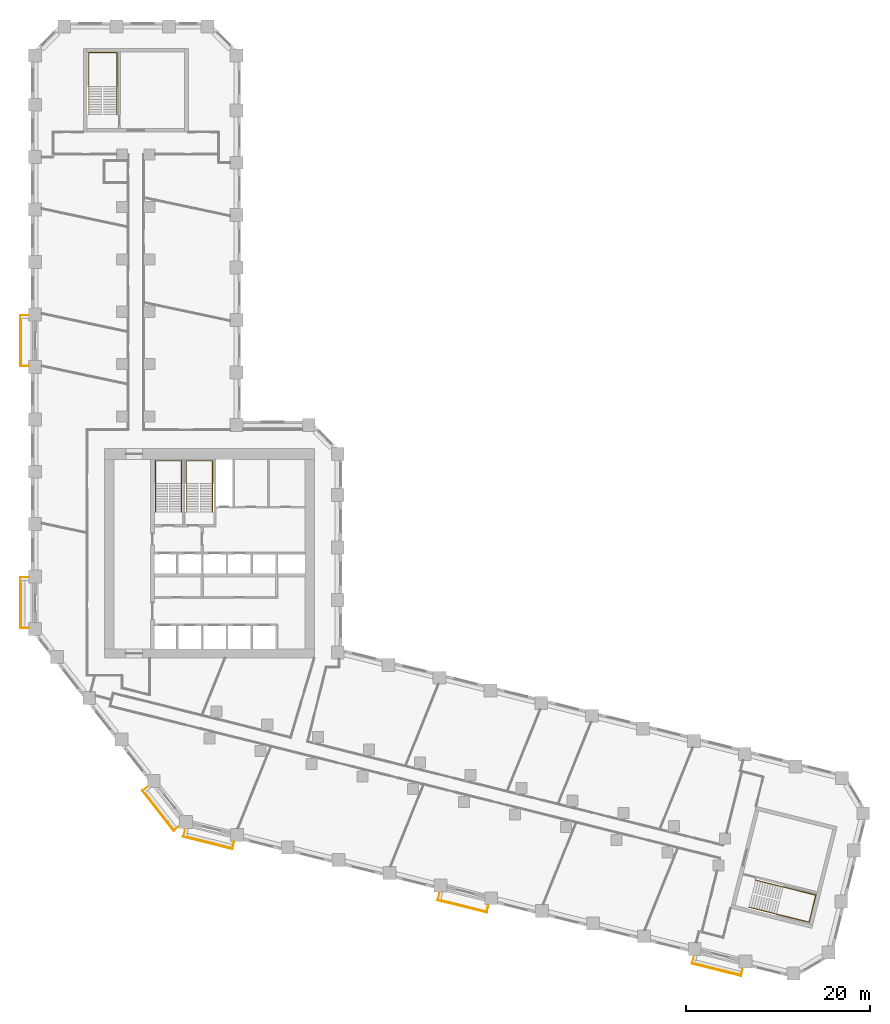
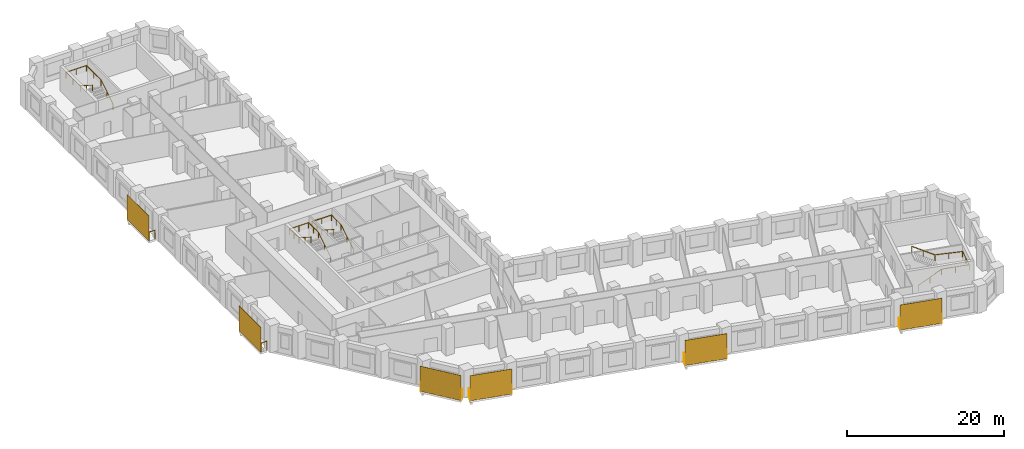
# One storey, part 11 of 11: 10 railings, 6 shading devices.
"""IFC4 building model written with IfcOpenShell, lengths in metres."""

from ifc_helpers import new_model, si_unit, direction, frame, origin, origin_2d, place, context, subcontext, project, spatial, rectangle, circle, extrude, material, layer, layer_set, type_object, element, save


model = new_model("IFC4")

# Units and contexts
model_context = context("Model", 3, precision=1e-05, world=origin(), true_north=direction((0.0, 1.0)))
body_context = subcontext(model_context, "Body", "Model", "MODEL_VIEW")
ifc_project = project(units=[si_unit("LENGTHUNIT", "METRE"), si_unit("AREAUNIT", "SQUARE_METRE"), si_unit("VOLUMEUNIT", "CUBIC_METRE"), si_unit("PLANEANGLEUNIT", "RADIAN"), si_unit("MASSUNIT", "GRAM", prefix="KILO")], contexts=[model_context])

# Site, building, storey
site_placement = place(None, origin())
site = spatial("IfcSite", under=ifc_project, at=site_placement, CompositionType="ELEMENT")
building_placement = place(site_placement, origin())
building = spatial("IfcBuilding", under=site, at=building_placement, Name="Meshkara Civic Tower", CompositionType="ELEMENT")
storey_placement = place(building_placement, frame((0.0, 0.0, 37.199951171875)))
storey = spatial("IfcBuildingStorey", under=building, at=storey_placement, Name="L07", CompositionType="ELEMENT", Elevation=37.199951171875)

# Railings
ifc_material_1 = material(Name="Steel S355", Category="steel")
railing_type_1 = type_object("IfcRailingType", Name="BALUSTRADE GUARD 1400", PredefinedType="BALUSTRADE", material=ifc_material_1)
for number, where, name in (
    (1, (-0.25, 51.3349609375, 0.0), "Balcony guard"),
    (2, (-0.25, 22.8349609375, 0.0), "Balcony guard"),
):
    element("IfcRailing", number, at=place(storey_placement, frame(where)), inside=storey, type_object=railing_type_1, Name=name, PredefinedType="BALUSTRADE", context=body_context, shape_type="SweptSolid", body=[
        extrude(circle(Radius=0.02392578125, at=origin_2d()), frame((0.0, 0.0, 1.3759765625), z_axis=(-1.0, 0.0, 0.0), x_axis=(0.0, -1.0, 0.0)), (0.0, 0.0, 1.0), 0.860107421875),
        extrude(circle(Radius=0.02392578125, at=origin_2d()), frame((-0.860107421875, 0.0, 1.3759765625), z_axis=(0.0, -1.0, 0.0), x_axis=(1.0, 0.0, 0.0)), (0.0, 0.0, 1.0), 5.4599609375),
        extrude(circle(Radius=0.02392578125, at=origin_2d()), frame((-0.860107421875, -5.4599609375, 1.3759765625), z_axis=(1.0, 0.0, 0.0), x_axis=(0.0, 1.0, 0.0)), (0.0, 0.0, 1.0), 0.860107421875),
        extrude(circle(Radius=0.02099609375, at=origin_2d()), origin(), (0.0, 0.0, 1.0), 1.351806640625),
        extrude(circle(Radius=0.02099609375, at=origin_2d()), frame((-0.860107421875, 0.0, 0.0)), (0.0, 0.0, 1.0), 1.351806640625),
        extrude(circle(Radius=0.02099609375, at=origin_2d()), frame((-0.860107421875, -1.092041015625, 0.0)), (0.0, 0.0, 1.0), 1.351806640625),
        extrude(circle(Radius=0.02099609375, at=origin_2d()), frame((-0.860107421875, -2.18408203125, 0.0)), (0.0, 0.0, 1.0), 1.351806640625),
        extrude(circle(Radius=0.02099609375, at=origin_2d()), frame((-0.860107421875, -3.27587890625, 0.0)), (0.0, 0.0, 1.0), 1.351806640625),
        extrude(circle(Radius=0.02099609375, at=origin_2d()), frame((-0.860107421875, -4.367919921875, 0.0)), (0.0, 0.0, 1.0), 1.351806640625),
        extrude(circle(Radius=0.02099609375, at=origin_2d()), frame((-0.860107421875, -5.4599609375, 0.0)), (0.0, 0.0, 1.0), 1.351806640625),
        extrude(circle(Radius=0.02099609375, at=origin_2d()), frame((0.0, -5.4599609375, 0.0)), (0.0, 0.0, 1.0), 1.351806640625),
    ])
railing_1_placement = place(storey_placement, frame((12.64111328125, 0.053955078125, 0.0)))
element("IfcRailing", 3, at=railing_1_placement, inside=storey, type_object=railing_type_1, Name="Balcony guard", PredefinedType="BALUSTRADE", context=body_context, shape_type="SweptSolid", body=[
    extrude(circle(Radius=0.02392578125, at=origin_2d()), frame((0.0, 0.0, 1.3759765625), z_axis=(-0.788485894605, -0.615052838388, 0.0), x_axis=(0.615052838388, -0.788485894605, 0.0)), (0.0, 0.0, 1.0), 0.5771484375),
    extrude(circle(Radius=0.02392578125, at=origin_2d()), frame((-0.455078125, -0.35498046875, 1.3759765625), z_axis=(0.615684818606, -0.787992515281, 0.0), x_axis=(0.787992515281, 0.615684818606, 0.0)), (0.0, 0.0, 1.0), 5.460693359375),
    extrude(circle(Radius=0.02392578125, at=origin_2d()), frame((2.906982421875, -4.657958984375, 1.3759765625), z_axis=(0.787505001008, 0.616308261658, 0.0), x_axis=(-0.616308261658, 0.787505001008, 0.0)), (0.0, 0.0, 1.0), 0.57763671875),
    extrude(circle(Radius=0.02099609375, at=origin_2d()), origin(), (0.0, 0.0, 1.0), 1.351806640625),
    extrude(circle(Radius=0.02099609375, at=origin_2d()), frame((-0.455078125, -0.35498046875, 0.0)), (0.0, 0.0, 1.0), 1.351806640625),
    extrude(circle(Radius=0.02099609375, at=origin_2d()), frame((0.21728515625, -1.215576171875, 0.0)), (0.0, 0.0, 1.0), 1.351806640625),
    extrude(circle(Radius=0.02099609375, at=origin_2d()), frame((0.8896484375, -2.076171875, 0.0)), (0.0, 0.0, 1.0), 1.351806640625),
    extrude(circle(Radius=0.02099609375, at=origin_2d()), frame((1.562255859375, -2.936767578125, 0.0)), (0.0, 0.0, 1.0), 1.351806640625),
    extrude(circle(Radius=0.02099609375, at=origin_2d()), frame((2.234619140625, -3.79736328125, 0.0)), (0.0, 0.0, 1.0), 1.351806640625),
    extrude(circle(Radius=0.02099609375, at=origin_2d()), frame((2.906982421875, -4.657958984375, 0.0)), (0.0, 0.0, 1.0), 1.351806640625),
    extrude(circle(Radius=0.02099609375, at=origin_2d()), frame((3.36181640625, -4.302001953125, 0.0)), (0.0, 0.0, 1.0), 1.351806640625),
])
railing_2_placement = place(storey_placement, frame((16.761962890625, -4.590087890625, 0.0)))
element("IfcRailing", 4, at=railing_2_placement, inside=storey, type_object=railing_type_1, Name="Balcony guard", PredefinedType="BALUSTRADE", context=body_context, shape_type="SweptSolid", body=[
    extrude(circle(Radius=0.02392578125, at=origin_2d()), frame((0.0, 0.0, 1.3759765625), z_axis=(-0.241405887632, -0.970424235794, 0.0), x_axis=(0.970424235794, -0.241405887632, 0.0)), (0.0, 0.0, 1.0), 0.7119140625),
    extrude(circle(Radius=0.02392578125, at=origin_2d()), frame((-0.171875, -0.69091796875, 1.3759765625), z_axis=(0.9703315887, -0.241778013829, 0.0), x_axis=(0.241778013829, 0.9703315887, 0.0)), (0.0, 0.0, 1.0), 5.459716796875),
    extrude(circle(Radius=0.02392578125, at=origin_2d()), frame((5.1259765625, -2.010986328125, 1.3759765625), z_axis=(0.241970279911, 0.970283661431, 0.0), x_axis=(-0.970283661431, 0.241970279911, 0.0)), (0.0, 0.0, 1.0), 0.71142578125),
    extrude(circle(Radius=0.02099609375, at=origin_2d()), origin(), (0.0, 0.0, 1.0), 1.351806640625),
    extrude(circle(Radius=0.02099609375, at=origin_2d()), frame((-0.171875, -0.69091796875, 0.0)), (0.0, 0.0, 1.0), 1.351806640625),
    extrude(circle(Radius=0.02099609375, at=origin_2d()), frame((0.8876953125, -0.954833984375, 0.0)), (0.0, 0.0, 1.0), 1.351806640625),
    extrude(circle(Radius=0.02099609375, at=origin_2d()), frame((1.947265625, -1.218994140625, 0.0)), (0.0, 0.0, 1.0), 1.351806640625),
    extrude(circle(Radius=0.02099609375, at=origin_2d()), frame((3.0068359375, -1.48291015625, 0.0)), (0.0, 0.0, 1.0), 1.351806640625),
    extrude(circle(Radius=0.02099609375, at=origin_2d()), frame((4.06640625, -1.7470703125, 0.0)), (0.0, 0.0, 1.0), 1.351806640625),
    extrude(circle(Radius=0.02099609375, at=origin_2d()), frame((5.1259765625, -2.010986328125, 0.0)), (0.0, 0.0, 1.0), 1.351806640625),
    extrude(circle(Radius=0.02099609375, at=origin_2d()), frame((5.298095703125, -1.32080078125, 0.0)), (0.0, 0.0, 1.0), 1.351806640625),
])
railing_3_placement = place(storey_placement, frame((44.416015625, -11.485107421875, 0.0)))
element("IfcRailing", 5, at=railing_3_placement, inside=storey, type_object=railing_type_1, Name="Balcony guard", PredefinedType="BALUSTRADE", context=body_context, shape_type="SweptSolid", body=[
    extrude(circle(Radius=0.02392578125, at=origin_2d()), frame((0.0, 0.0, 1.3759765625), z_axis=(-0.242050887106, -0.970263555974, 0.0), x_axis=(0.970263555974, -0.242050887106, 0.0)), (0.0, 0.0, 1.0), 0.711181640625),
    extrude(circle(Radius=0.02392578125, at=origin_2d()), frame((-0.172119140625, -0.68994140625, 1.3759765625), z_axis=(0.970281759871, -0.241977904902, 0.0), x_axis=(0.241977904902, 0.970281759871, 0.0)), (0.0, 0.0, 1.0), 5.45947265625),
    extrude(circle(Radius=0.02392578125, at=origin_2d()), frame((5.125, -2.010986328125, 1.3759765625), z_axis=(0.241647114831, 0.970364195493, 0.0), x_axis=(-0.970364195493, 0.241647114831, 0.0)), (0.0, 0.0, 1.0), 0.711181640625),
    extrude(circle(Radius=0.02099609375, at=origin_2d()), origin(), (0.0, 0.0, 1.0), 1.351806640625),
    extrude(circle(Radius=0.02099609375, at=origin_2d()), frame((-0.172119140625, -0.68994140625, 0.0)), (0.0, 0.0, 1.0), 1.351806640625),
    extrude(circle(Radius=0.02099609375, at=origin_2d()), frame((0.88720703125, -0.9541015625, 0.0)), (0.0, 0.0, 1.0), 1.351806640625),
    extrude(circle(Radius=0.02099609375, at=origin_2d()), frame((1.94677734375, -1.21826171875, 0.0)), (0.0, 0.0, 1.0), 1.351806640625),
    extrude(circle(Radius=0.02099609375, at=origin_2d()), frame((3.006103515625, -1.482666015625, 0.0)), (0.0, 0.0, 1.0), 1.351806640625),
    extrude(circle(Radius=0.02099609375, at=origin_2d()), frame((4.065673828125, -1.746826171875, 0.0)), (0.0, 0.0, 1.0), 1.351806640625),
    extrude(circle(Radius=0.02099609375, at=origin_2d()), frame((5.125, -2.010986328125, 0.0)), (0.0, 0.0, 1.0), 1.351806640625),
    extrude(circle(Radius=0.02099609375, at=origin_2d()), frame((5.296875, -1.32080078125, 0.0)), (0.0, 0.0, 1.0), 1.351806640625),
])
railing_4_placement = place(storey_placement, frame((72.069091796875, -18.37890625, 0.0)))
element("IfcRailing", 6, at=railing_4_placement, inside=storey, type_object=railing_type_1, Name="Balcony guard", PredefinedType="BALUSTRADE", context=body_context, shape_type="SweptSolid", body=[
    extrude(circle(Radius=0.02392578125, at=origin_2d()), frame((0.0, 0.0, 1.3759765625), z_axis=(-0.241648370662, -0.970363882756, 0.0), x_axis=(0.970363882756, -0.241648370662, 0.0)), (0.0, 0.0, 1.0), 0.712158203125),
    extrude(circle(Radius=0.02392578125, at=origin_2d()), frame((-0.172119140625, -0.691162109375, 1.3759765625), z_axis=(0.970292231073, -0.24193591366, 0.0), x_axis=(0.24193591366, 0.970292231073, 0.0)), (0.0, 0.0, 1.0), 5.460205078125),
    extrude(circle(Radius=0.02392578125, at=origin_2d()), frame((5.1259765625, -2.01220703125, 1.3759765625), z_axis=(0.241325582248, 0.970444209294, 0.0), x_axis=(-0.970444209294, 0.241325582248, 0.0)), (0.0, 0.0, 1.0), 0.712158203125),
    extrude(circle(Radius=0.02099609375, at=origin_2d()), origin(), (0.0, 0.0, 1.0), 1.351806640625),
    extrude(circle(Radius=0.02099609375, at=origin_2d()), frame((-0.172119140625, -0.691162109375, 0.0)), (0.0, 0.0, 1.0), 1.351806640625),
    extrude(circle(Radius=0.02099609375, at=origin_2d()), frame((0.887451171875, -0.955322265625, 0.0)), (0.0, 0.0, 1.0), 1.351806640625),
    extrude(circle(Radius=0.02099609375, at=origin_2d()), frame((1.947021484375, -1.219482421875, 0.0)), (0.0, 0.0, 1.0), 1.351806640625),
    extrude(circle(Radius=0.02099609375, at=origin_2d()), frame((3.0068359375, -1.48388671875, 0.0)), (0.0, 0.0, 1.0), 1.351806640625),
    extrude(circle(Radius=0.02099609375, at=origin_2d()), frame((4.06640625, -1.748046875, 0.0)), (0.0, 0.0, 1.0), 1.351806640625),
    extrude(circle(Radius=0.02099609375, at=origin_2d()), frame((5.1259765625, -2.01220703125, 0.0)), (0.0, 0.0, 1.0), 1.351806640625),
    extrude(circle(Radius=0.02099609375, at=origin_2d()), frame((5.2978515625, -1.321044921875, 0.0)), (0.0, 0.0, 1.0), 1.351806640625),
])

# Shading devices
ifc_material_2 = material(Name="Perforated bronze anodised aluminium sheet", Category="aluminium")
ifc_layer = layer(ifc_material_2, 0.0400390625)
ifc_layer_set = layer_set([ifc_layer], Name="PERFORATED BRONZE SCREEN")
shading_device_type = type_object("IfcShadingDeviceType", Name="PERFORATED BRONZE SCREEN", PredefinedType="USERDEFINED", material=ifc_layer_set)
for number, where, z_axis, x_axis, name in (
    (7, (-1.179931640625, 48.60498046875, 0.0), (0.0, 0.0, 1.0), (0.0, -1.0, 0.0), "Balcony screen"),
    (8, (-1.179931640625, 20.10498046875, 0.0), (0.0, 0.0, 1.0), (0.0, -1.0, 0.0), "Balcony screen"),
    (9, (13.81201171875, -2.4951171875, 0.0), (0.0, 0.0, 1.0), (0.615661475326, -0.788010753607, 0.0), "Balcony screen"),
    (10, (19.221923828125, -6.009033203125, 0.0), (0.0, 0.0, 1.0), (0.970295726276, -0.2419218956, 0.0), "Balcony screen"),
):
    element("IfcShadingDevice", number, at=place(storey_placement, frame(where, z_axis=z_axis, x_axis=x_axis)), inside=storey, type_object=shading_device_type, Name=name, ObjectType="SCREEN", PredefinedType="USERDEFINED", context=body_context, shape_type="SweptSolid", body=[
        extrude(rectangle(XDim=5.580078125, YDim=0.0400390625, at=origin_2d()), origin(), (0.0, 0.0, 1.0), 3.89990234375),
    ])
shading_device_1_placement = place(storey_placement, frame((46.8759765625, -12.903076171875, 0.0), z_axis=(0.0, 0.0, 1.0), x_axis=(0.970295726276, -0.2419218956, 0.0)))
element("IfcShadingDevice", 11, at=shading_device_1_placement, inside=storey, type_object=shading_device_type, Name="Balcony screen", ObjectType="SCREEN", PredefinedType="USERDEFINED", context=body_context, shape_type="SweptSolid", body=[
    extrude(rectangle(XDim=5.5791015625, YDim=0.0400390625, at=origin_2d()), origin(), (0.0, 0.0, 1.0), 3.89990234375),
])
shading_device_2_placement = place(storey_placement, frame((74.529052734375, -19.798095703125, 0.0), z_axis=(0.0, 0.0, 1.0), x_axis=(0.970295726276, -0.2419218956, 0.0)))
element("IfcShadingDevice", 12, at=shading_device_2_placement, inside=storey, type_object=shading_device_type, Name="Balcony screen", ObjectType="SCREEN", PredefinedType="USERDEFINED", context=body_context, shape_type="SweptSolid", body=[
    extrude(rectangle(XDim=5.580078125, YDim=0.0400390625, at=origin_2d()), origin(), (0.0, 0.0, 1.0), 3.89990234375),
])

# Railings
ifc_material_3 = material(Name="Steel handrail", Category="steel")
railing_type_2 = type_object("IfcRailingType", Name="Stair handrail 900", PredefinedType="HANDRAIL", material=ifc_material_3)
railing_5_placement = place(storey_placement, frame((16.375, 30.0, 0.175048828125)))
element("IfcRailing", 13, at=railing_5_placement, inside=storey, type_object=railing_type_2, Name="L07 ST1 stair handrail 1", PredefinedType="HANDRAIL", context=body_context, shape_type="SweptSolid", body=[
    extrude(circle(Radius=0.02392578125, at=origin_2d()), frame((0.0, 0.0, 0.8759765625), z_axis=(0.0, 0.847998304005, 0.529998940003), x_axis=(-1.0, 0.0, 0.0)), (0.0, 0.0, 1.0), 3.632080078125),
    extrude(circle(Radius=0.02392578125, at=origin_2d()), frame((0.0, 3.080078125, 2.80078125), z_axis=(0.0, 1.0, 0.0), x_axis=(-1.0, 0.0, 0.0)), (0.0, 0.0, 1.0), 2.469970703125),
    extrude(circle(Radius=0.02392578125, at=origin_2d()), frame((0.0, 5.550048828125, 2.80078125), z_axis=(-1.0, 0.0, 0.0), x_axis=(0.0, -1.0, 0.0)), (0.0, 0.0, 1.0), 2.85009765625),
    extrude(circle(Radius=0.02392578125, at=origin_2d()), frame((-2.85009765625, 5.550048828125, 2.80078125), z_axis=(0.0, -0.997498084828, 0.070693498747), x_axis=(1.0, 0.0, 0.0)), (0.0, 0.0, 1.0), 2.47607421875),
    extrude(circle(Radius=0.02392578125, at=origin_2d()), frame((-2.85009765625, 3.080078125, 2.97607421875), z_axis=(0.0, -0.848028513186, 0.529950602248), x_axis=(1.0, 0.0, 0.0)), (0.0, 0.0, 1.0), 3.632080078125),
    extrude(circle(Radius=0.02099609375, at=origin_2d()), origin(), (0.0, 0.0, 1.0), 0.851806640625),
    extrude(circle(Radius=0.02099609375, at=origin_2d()), frame((0.0, 1.5400390625, 0.96240234375)), (0.0, 0.0, 1.0), 0.851806640625),
    extrude(circle(Radius=0.02099609375, at=origin_2d()), frame((0.0, 3.080078125, 1.925048828125)), (0.0, 0.0, 1.0), 0.851806640625),
    extrude(circle(Radius=0.02099609375, at=origin_2d()), frame((0.0, 4.31494140625, 1.925048828125)), (0.0, 0.0, 1.0), 0.851806640625),
    extrude(circle(Radius=0.02099609375, at=origin_2d()), frame((0.0, 5.550048828125, 1.925048828125)), (0.0, 0.0, 1.0), 0.851806640625),
    extrude(circle(Radius=0.02099609375, at=origin_2d()), frame((-1.425048828125, 5.550048828125, 1.925048828125)), (0.0, 0.0, 1.0), 0.851806640625),
    extrude(circle(Radius=0.02099609375, at=origin_2d()), frame((-2.85009765625, 5.550048828125, 1.925048828125)), (0.0, 0.0, 1.0), 0.851806640625),
    extrude(circle(Radius=0.02099609375, at=origin_2d()), frame((-2.85009765625, 4.31494140625, 2.0126953125)), (0.0, 0.0, 1.0), 0.851806640625),
    extrude(circle(Radius=0.02099609375, at=origin_2d()), frame((-2.85009765625, 3.080078125, 2.10009765625)), (0.0, 0.0, 1.0), 0.851806640625),
    extrude(circle(Radius=0.02099609375, at=origin_2d()), frame((-2.85009765625, 1.5400390625, 3.0625)), (0.0, 0.0, 1.0), 0.851806640625),
    extrude(circle(Radius=0.02099609375, at=origin_2d()), frame((-2.85009765625, 0.0, 4.02490234375)), (0.0, 0.0, 1.0), 0.851806640625),
])
railing_6_placement = place(storey_placement, frame((19.72509765625, 30.0, 0.175048828125)))
element("IfcRailing", 14, at=railing_6_placement, inside=storey, type_object=railing_type_2, Name="L07 ST2 stair handrail 1", PredefinedType="HANDRAIL", context=body_context, shape_type="SweptSolid", body=[
    extrude(circle(Radius=0.02392578125, at=origin_2d()), frame((0.0, 0.0, 0.8759765625), z_axis=(0.0, 0.847998304005, 0.529998940003), x_axis=(-1.0, 0.0, 0.0)), (0.0, 0.0, 1.0), 3.632080078125),
    extrude(circle(Radius=0.02392578125, at=origin_2d()), frame((0.0, 3.080078125, 2.80078125), z_axis=(0.0, 1.0, 0.0), x_axis=(-1.0, 0.0, 0.0)), (0.0, 0.0, 1.0), 2.469970703125),
    extrude(circle(Radius=0.02392578125, at=origin_2d()), frame((0.0, 5.550048828125, 2.80078125), z_axis=(-1.0, 0.0, 0.0), x_axis=(0.0, -1.0, 0.0)), (0.0, 0.0, 1.0), 2.85009765625),
    extrude(circle(Radius=0.02392578125, at=origin_2d()), frame((-2.85009765625, 5.550048828125, 2.80078125), z_axis=(0.0, -0.997498084828, 0.070693498747), x_axis=(1.0, 0.0, 0.0)), (0.0, 0.0, 1.0), 2.47607421875),
    extrude(circle(Radius=0.02392578125, at=origin_2d()), frame((-2.85009765625, 3.080078125, 2.97607421875), z_axis=(0.0, -0.848028513186, 0.529950602248), x_axis=(1.0, 0.0, 0.0)), (0.0, 0.0, 1.0), 3.632080078125),
    extrude(circle(Radius=0.02099609375, at=origin_2d()), origin(), (0.0, 0.0, 1.0), 0.851806640625),
    extrude(circle(Radius=0.02099609375, at=origin_2d()), frame((0.0, 1.5400390625, 0.96240234375)), (0.0, 0.0, 1.0), 0.851806640625),
    extrude(circle(Radius=0.02099609375, at=origin_2d()), frame((0.0, 3.080078125, 1.925048828125)), (0.0, 0.0, 1.0), 0.851806640625),
    extrude(circle(Radius=0.02099609375, at=origin_2d()), frame((0.0, 4.31494140625, 1.925048828125)), (0.0, 0.0, 1.0), 0.851806640625),
    extrude(circle(Radius=0.02099609375, at=origin_2d()), frame((0.0, 5.550048828125, 1.925048828125)), (0.0, 0.0, 1.0), 0.851806640625),
    extrude(circle(Radius=0.02099609375, at=origin_2d()), frame((-1.425048828125, 5.550048828125, 1.925048828125)), (0.0, 0.0, 1.0), 0.851806640625),
    extrude(circle(Radius=0.02099609375, at=origin_2d()), frame((-2.85009765625, 5.550048828125, 1.925048828125)), (0.0, 0.0, 1.0), 0.851806640625),
    extrude(circle(Radius=0.02099609375, at=origin_2d()), frame((-2.85009765625, 4.31494140625, 2.0126953125)), (0.0, 0.0, 1.0), 0.851806640625),
    extrude(circle(Radius=0.02099609375, at=origin_2d()), frame((-2.85009765625, 3.080078125, 2.10009765625)), (0.0, 0.0, 1.0), 0.851806640625),
    extrude(circle(Radius=0.02099609375, at=origin_2d()), frame((-2.85009765625, 1.5400390625, 3.0625)), (0.0, 0.0, 1.0), 0.851806640625),
    extrude(circle(Radius=0.02099609375, at=origin_2d()), frame((-2.85009765625, 0.0, 4.02490234375)), (0.0, 0.0, 1.0), 0.851806640625),
])
railing_7_placement = place(storey_placement, frame((9.324951171875, 73.169921875, 0.175048828125)))
element("IfcRailing", 15, at=railing_7_placement, inside=storey, type_object=railing_type_2, Name="L07 ESA1 stair handrail 1", PredefinedType="HANDRAIL", context=body_context, shape_type="SweptSolid", body=[
    extrude(circle(Radius=0.02392578125, at=origin_2d()), frame((0.0, 0.0, 0.8759765625), z_axis=(0.0, 0.847998304005, 0.529998940003), x_axis=(-1.0, 0.0, 0.0)), (0.0, 0.0, 1.0), 3.632080078125),
    extrude(circle(Radius=0.02392578125, at=origin_2d()), frame((0.0, 3.080078125, 2.80078125), z_axis=(0.0, 1.0, 0.0), x_axis=(-1.0, 0.0, 0.0)), (0.0, 0.0, 1.0), 3.669921875),
    extrude(circle(Radius=0.02392578125, at=origin_2d()), frame((0.0, 6.75, 2.80078125), z_axis=(-1.0, 0.0, 0.0), x_axis=(0.0, -1.0, 0.0)), (0.0, 0.0, 1.0), 3.050048828125),
    extrude(circle(Radius=0.02392578125, at=origin_2d()), frame((-3.050048828125, 6.75, 2.80078125), z_axis=(0.0, -0.998864376167, 0.047644076484), x_axis=(1.0, 0.0, 0.0)), (0.0, 0.0, 1.0), 3.674072265625),
    extrude(circle(Radius=0.02392578125, at=origin_2d()), frame((-3.050048828125, 3.080078125, 2.97607421875), z_axis=(0.0, -0.848028513186, 0.529950602248), x_axis=(1.0, 0.0, 0.0)), (0.0, 0.0, 1.0), 3.632080078125),
    extrude(circle(Radius=0.02099609375, at=origin_2d()), origin(), (0.0, 0.0, 1.0), 0.851806640625),
    extrude(circle(Radius=0.02099609375, at=origin_2d()), frame((0.0, 1.5400390625, 0.96240234375)), (0.0, 0.0, 1.0), 0.851806640625),
    extrude(circle(Radius=0.02099609375, at=origin_2d()), frame((0.0, 3.080078125, 1.925048828125)), (0.0, 0.0, 1.0), 0.851806640625),
    extrude(circle(Radius=0.02099609375, at=origin_2d()), frame((0.0, 4.9150390625, 1.925048828125)), (0.0, 0.0, 1.0), 0.851806640625),
    extrude(circle(Radius=0.02099609375, at=origin_2d()), frame((0.0, 6.75, 1.925048828125)), (0.0, 0.0, 1.0), 0.851806640625),
    extrude(circle(Radius=0.02099609375, at=origin_2d()), frame((-1.52490234375, 6.75, 1.925048828125)), (0.0, 0.0, 1.0), 0.851806640625),
    extrude(circle(Radius=0.02099609375, at=origin_2d()), frame((-3.050048828125, 6.75, 1.925048828125)), (0.0, 0.0, 1.0), 0.851806640625),
    extrude(circle(Radius=0.02099609375, at=origin_2d()), frame((-3.050048828125, 4.9150390625, 2.0126953125)), (0.0, 0.0, 1.0), 0.851806640625),
    extrude(circle(Radius=0.02099609375, at=origin_2d()), frame((-3.050048828125, 3.080078125, 2.10009765625)), (0.0, 0.0, 1.0), 0.851806640625),
    extrude(circle(Radius=0.02099609375, at=origin_2d()), frame((-3.050048828125, 1.5400390625, 3.0625)), (0.0, 0.0, 1.0), 0.851806640625),
    extrude(circle(Radius=0.02099609375, at=origin_2d()), frame((-3.050048828125, 0.0, 4.02490234375)), (0.0, 0.0, 1.0), 0.851806640625),
])
railing_8_placement = place(storey_placement, frame((78.045166015625, -12.99169921875, 0.175048828125)))
element("IfcRailing", 16, at=railing_8_placement, inside=storey, type_object=railing_type_2, Name="L07 ESB1 stair handrail 1", PredefinedType="HANDRAIL", context=body_context, shape_type="SweptSolid", body=[
    extrude(circle(Radius=0.02392578125, at=origin_2d()), frame((0.0, 0.0, 0.8759765625), z_axis=(0.822781968105, -0.205275396666, 0.529992306062), x_axis=(0.242069343812, 0.970258951408, 0.0)), (0.0, 0.0, 1.0), 3.63232421875),
    extrude(circle(Radius=0.02392578125, at=origin_2d()), frame((2.988525390625, -0.74560546875, 2.80078125), z_axis=(0.970255876456, -0.242081668456, 0.0), x_axis=(0.242081668456, 0.970255876456, 0.0)), (0.0, 0.0, 1.0), 3.669921875),
    extrude(circle(Radius=0.02392578125, at=origin_2d()), frame((6.54931640625, -1.634033203125, 2.80078125), z_axis=(0.242064726708, 0.970260103315, 0.0), x_axis=(-0.970260103315, 0.242064726708, 0.0)), (0.0, 0.0, 1.0), 3.050048828125),
    extrude(circle(Radius=0.02392578125, at=origin_2d()), frame((7.28759765625, 1.3251953125, 2.80078125), z_axis=(-0.969154047904, 0.241806759021, 0.047643706023), x_axis=(-0.242081668456, -0.970255876456, 0.0)), (0.0, 0.0, 1.0), 3.674072265625),
    extrude(circle(Radius=0.02392578125, at=origin_2d()), frame((3.726806640625, 2.213623046875, 2.97607421875), z_axis=(-0.822811278243, 0.205282709236, 0.529943968439), x_axis=(-0.242069343812, -0.970258951408, 0.0)), (0.0, 0.0, 1.0), 3.632080078125),
    extrude(circle(Radius=0.02099609375, at=origin_2d()), origin(), (0.0, 0.0, 1.0), 0.851806640625),
    extrude(circle(Radius=0.02099609375, at=origin_2d()), frame((1.494140625, -0.372802734375, 0.96240234375)), (0.0, 0.0, 1.0), 0.851806640625),
    extrude(circle(Radius=0.02099609375, at=origin_2d()), frame((2.988525390625, -0.74560546875, 1.925048828125)), (0.0, 0.0, 1.0), 0.851806640625),
    extrude(circle(Radius=0.02099609375, at=origin_2d()), frame((4.76904296875, -1.18994140625, 1.925048828125)), (0.0, 0.0, 1.0), 0.851806640625),
    extrude(circle(Radius=0.02099609375, at=origin_2d()), frame((6.54931640625, -1.634033203125, 1.925048828125)), (0.0, 0.0, 1.0), 0.851806640625),
    extrude(circle(Radius=0.02099609375, at=origin_2d()), frame((6.91845703125, -0.154296875, 1.925048828125)), (0.0, 0.0, 1.0), 0.851806640625),
    extrude(circle(Radius=0.02099609375, at=origin_2d()), frame((7.28759765625, 1.3251953125, 1.925048828125)), (0.0, 0.0, 1.0), 0.851806640625),
    extrude(circle(Radius=0.02099609375, at=origin_2d()), frame((5.50732421875, 1.76953125, 2.0126953125)), (0.0, 0.0, 1.0), 0.851806640625),
    extrude(circle(Radius=0.02099609375, at=origin_2d()), frame((3.726806640625, 2.213623046875, 2.10009765625)), (0.0, 0.0, 1.0), 0.851806640625),
    extrude(circle(Radius=0.02099609375, at=origin_2d()), frame((2.232421875, 2.58642578125, 3.0625)), (0.0, 0.0, 1.0), 0.851806640625),
    extrude(circle(Radius=0.02099609375, at=origin_2d()), frame((0.73828125, 2.959228515625, 4.02490234375)), (0.0, 0.0, 1.0), 0.851806640625),
])

save(model, "model.ifc")
